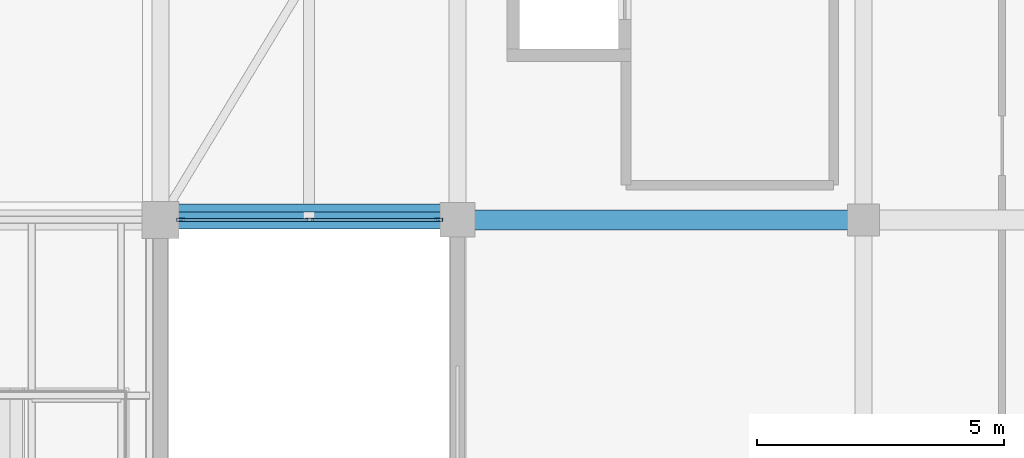
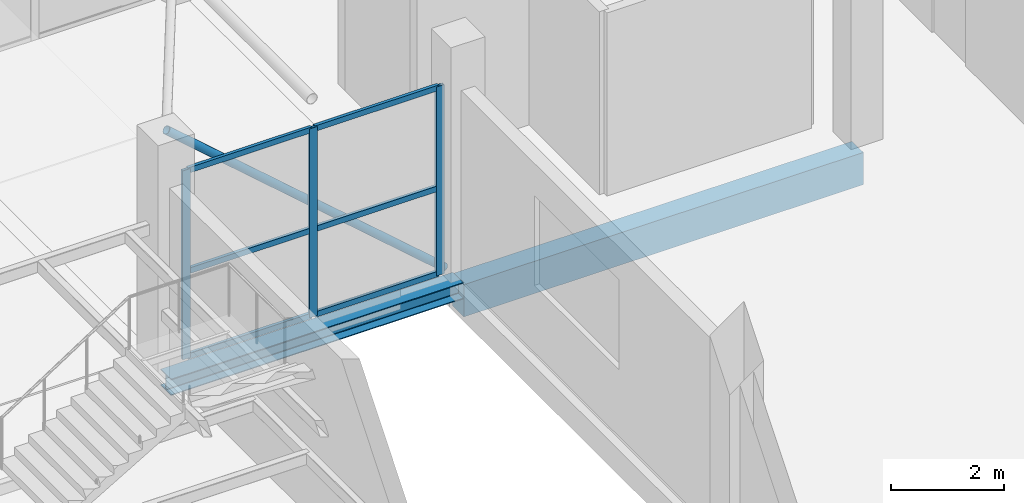
# One storey, part 15 of 67: 10 members, 2 beams, 1 element without a shape of its own.
"""IFC4 building model written with IfcOpenShell, lengths in metres."""

import ifcopenshell
import ifcopenshell.guid

model = None  # the IFC model being written
_history = None  # IfcOwnerHistory: only IFC2X3 demands one
_inside = {}  # id of a spatial element -> (the spatial element, [elements in it])
_under = {}  # id of a project, library or spatial element -> (it, [spatial elements below it])
_declared = {}  # id of a project -> (the project, [libraries it declares])
_typed = {}  # id of a type object -> (the type object, [elements of that type])
_made_of = {}  # id of a material, layer set ... -> (it, [elements and type objects made of it])


def new_model(schema):
    """Start an empty IFC model of exactly this schema.

    Asked for "IFC4X3", IfcOpenShell would pick the latest addendum, in which some entities
    have other attributes; the version numbers below select the first issue.
    IFC2X3 requires an IfcOwnerHistory on every rooted entity: one is made here for all.
    """
    global model, _history
    if schema == "IFC4X3":
        model = ifcopenshell.file(schema_version=(4, 3, 0, 0))
    else:
        model = ifcopenshell.file(schema=schema)
    _inside.clear()
    _under.clear()
    _declared.clear()
    _typed.clear()
    _made_of.clear()
    _history = None
    if model.schema == "IFC2X3":
        org = make("IfcOrganization", Name="unknown")
        user = make(
            "IfcPersonAndOrganization",
            ThePerson=make("IfcPerson", FamilyName="unknown"),
            TheOrganization=org,
        )
        app = make(
            "IfcApplication",
            ApplicationDeveloper=org,
            Version="unknown",
            ApplicationFullName="unknown",
            ApplicationIdentifier="unknown",
        )
        _history = make(
            "IfcOwnerHistory",
            OwningUser=user,
            OwningApplication=app,
            ChangeAction="ADDED",
            CreationDate=0,
        )
    return model


def make(cls, **values):
    """One entity of the class cls with the attributes given. An attribute that is None is left unset."""
    return model.create_entity(
        cls, **{name: value for name, value in values.items() if value is not None}
    )


def rooted(cls, **values):
    """An entity with a GlobalId (a new one), such as an element, a storey or a relation."""
    return make(cls, GlobalId=ifcopenshell.guid.new(), OwnerHistory=_history, **values)


def si_unit(unit_type, name, prefix=None):
    """IfcSIUnit, for example si_unit("LENGTHUNIT", "METRE", prefix="MILLI")."""
    return make("IfcSIUnit", UnitType=unit_type, Prefix=prefix, Name=name)


def assignment(units):
    """IfcUnitAssignment: the units of a project."""
    return None if units is None else make("IfcUnitAssignment", Units=units)


def point(xyz):
    """IfcCartesianPoint."""
    return None if xyz is None else make("IfcCartesianPoint", Coordinates=xyz)


def direction(xyz):
    """IfcDirection."""
    return None if xyz is None else make("IfcDirection", DirectionRatios=xyz)


def frame(location, z_axis=None, x_axis=None):
    """IfcAxis2Placement3D, a coordinate frame: its origin and axes. An axis left out is left unset."""
    return make(
        "IfcAxis2Placement3D",
        Location=point(location),
        Axis=direction(z_axis),
        RefDirection=direction(x_axis),
    )


def frame_2d(location, x_axis=None):
    """IfcAxis2Placement2D, a coordinate frame in the plane: its origin and x axis."""
    return make(
        "IfcAxis2Placement2D", Location=point(location), RefDirection=direction(x_axis)
    )


def origin():
    """The frame at (0, 0, 0) with its axes left unset."""
    return frame((0.0, 0.0, 0.0))


def origin_2d():
    """The frame at (0, 0) in the plane with its x axis left unset."""
    return frame_2d((0.0, 0.0))


def place(relative_to, where):
    """IfcLocalPlacement: puts the frame where relative to a parent placement (None: the world)."""
    return make(
        "IfcLocalPlacement", PlacementRelTo=relative_to, RelativePlacement=where
    )


def context(
    kind, dimensions, precision=None, world=None, true_north=None, identifier=None
):
    """IfcGeometricRepresentationContext, for example the 3D "Model" context."""
    return make(
        "IfcGeometricRepresentationContext",
        ContextIdentifier=identifier,
        ContextType=kind,
        CoordinateSpaceDimension=dimensions,
        Precision=precision,
        WorldCoordinateSystem=world,
        TrueNorth=true_north,
    )


def subcontext(parent, identifier, kind, view, scale=None):
    """IfcGeometricRepresentationSubContext, for example "Body" below "Model"."""
    return make(
        "IfcGeometricRepresentationSubContext",
        ContextIdentifier=identifier,
        ContextType=kind,
        ParentContext=parent,
        TargetScale=scale,
        TargetView=view,
    )


def project(units=None, contexts=None):
    """IfcProject with its units and contexts."""
    return rooted(
        "IfcProject",
        Name="project",
        RepresentationContexts=contexts,
        UnitsInContext=assignment(units),
    )


def spatial(cls, under=None, at=None, **own):
    """A site, building, storey or space (cls), placed at a placement, below another one or the project."""
    s = rooted(cls, ObjectPlacement=at, **own)
    if under is not None:
        _under.setdefault(under.id(), (under, []))[1].append(s)
    return s


def profile(cls, at=None, kind="AREA", **sizes):
    """A parametric profile (cls). Its sizes go by their IFC names, for example OverallWidth=200.0."""
    return make(cls, ProfileType=kind, Position=at, **sizes)


def rectangle(**sizes):
    """IfcRectangleProfileDef."""
    return profile("IfcRectangleProfileDef", **sizes)


def hollow_rectangle(**sizes):
    """IfcRectangleHollowProfileDef."""
    return profile("IfcRectangleHollowProfileDef", **sizes)


def hollow_circle(**sizes):
    """IfcCircleHollowProfileDef."""
    return profile("IfcCircleHollowProfileDef", **sizes)


def i_section(**sizes):
    """IfcIShapeProfileDef."""
    return profile("IfcIShapeProfileDef", **sizes)


def extrude(swept, where, along, depth):
    """IfcExtrudedAreaSolid: the profile swept, set in the frame where, extruded along a direction by depth."""
    return make(
        "IfcExtrudedAreaSolid",
        SweptArea=swept,
        Position=where,
        ExtrudedDirection=direction(along),
        Depth=depth,
    )


def shape(context_of_items, identifier, shape_type, items):
    """IfcShapeRepresentation: the items that make up one representation, for example the "Body"."""
    return make(
        "IfcShapeRepresentation",
        ContextOfItems=context_of_items,
        RepresentationIdentifier=identifier,
        RepresentationType=shape_type,
        Items=items,
    )


def material(Name=None, Category=None):
    """IfcMaterial."""
    return make("IfcMaterial", Name=Name, Category=Category)


def layer(
    of_material, thickness, ventilated=None, Name=None, Category=None, Priority=None
):
    """IfcMaterialLayer: one layer of a wall or slab, of a material (None: an air gap)."""
    return make(
        "IfcMaterialLayer",
        Material=of_material,
        LayerThickness=thickness,
        IsVentilated=ventilated,
        Name=Name,
        Category=Category,
        Priority=Priority,
    )


def layer_set(layers, Name=None):
    """IfcMaterialLayerSet."""
    return make("IfcMaterialLayerSet", MaterialLayers=layers, LayerSetName=Name)


def material_profile(
    of_material, cross_section, Name=None, Category=None, Priority=None
):
    """IfcMaterialProfile: a cross section and its material."""
    return make(
        "IfcMaterialProfile",
        Name=Name,
        Material=of_material,
        Profile=cross_section,
        Priority=Priority,
        Category=Category,
    )


def profile_set(profiles, Name=None, composite=None):
    """IfcMaterialProfileSet."""
    return make(
        "IfcMaterialProfileSet",
        Name=Name,
        MaterialProfiles=profiles,
        CompositeProfile=composite,
    )


def made_of(thing, what):
    """Note that an element or type object is made of a material, layer set ...; save() writes the relation."""
    if what is not None:
        _made_of.setdefault(what.id(), (what, []))[1].append(thing)
    return thing


def type_object(cls, material=None, **own):
    """A type object (cls), such as IfcWallType, which elements share."""
    return made_of(rooted(cls, **own), material)


def element(
    cls,
    number,
    at=None,
    inside=None,
    cuts=None,
    type_object=None,
    material=None,
    context=None,
    identifier="Body",
    shape_type=None,
    held_by="IfcProductDefinitionShape",
    body=None,
    shapes=None,
    **own,
):
    """One element of the class cls, such as IfcWall. Its Tag is "e" and its number.

    at: its placement. inside: the storey or other place that contains it. cuts: it is an
    opening in that element (IfcRelVoidsElement). A single representation is given by context,
    identifier, shape_type and body (its items); several are given by shapes. held_by: the class
    of the entity that holds the representations. save() writes the other relations.
    """
    e = rooted(cls, Tag="e%d" % number, ObjectPlacement=at, **own)
    if body is not None:
        shapes = [shape(context, identifier, shape_type, body)]
    if shapes is not None:
        e.Representation = make(held_by, Representations=shapes)
    if inside is not None:
        _inside.setdefault(inside.id(), (inside, []))[1].append(e)
    if cuts is not None:
        rooted(
            "IfcRelVoidsElement", RelatingBuildingElement=cuts, RelatedOpeningElement=e
        )
    if type_object is not None:
        _typed.setdefault(type_object.id(), (type_object, []))[1].append(e)
    return made_of(e, material)


def aggregate(whole, parts):
    """IfcRelAggregates: a whole, such as a stair, and the parts it consists of."""
    return rooted("IfcRelAggregates", RelatingObject=whole, RelatedObjects=parts)


def save(model, path):
    """Write the relations noted so far, then the file.

    IfcRelAggregates (storeys below a building ...), IfcRelContainedInSpatialStructure (elements
    in a storey), IfcRelDefinesByType, IfcRelAssociatesMaterial and IfcRelDeclares: one each for
    every whole, place, type object, material and project.
    """
    for whole, parts in _under.values():
        aggregate(whole, parts)
    for where, things in _inside.values():
        rooted(
            "IfcRelContainedInSpatialStructure",
            RelatedElements=things,
            RelatingStructure=where,
        )
    for kind, things in _typed.values():
        rooted("IfcRelDefinesByType", RelatedObjects=things, RelatingType=kind)
    for what, things in _made_of.values():
        rooted("IfcRelAssociatesMaterial", RelatedObjects=things, RelatingMaterial=what)
    for by, libraries in _declared.values():
        rooted("IfcRelDeclares", RelatingContext=by, RelatedDefinitions=libraries)
    model.write(path)


model = new_model("IFC4")

# Units and contexts
model_context = context("Model", 3, precision=1e-05, world=origin(), true_north=direction((0.0, 1.0)))
body_context = subcontext(model_context, "Body", "Model", "MODEL_VIEW")
ifc_project = project(units=[si_unit("LENGTHUNIT", "METRE"), si_unit("AREAUNIT", "SQUARE_METRE"), si_unit("VOLUMEUNIT", "CUBIC_METRE"), si_unit("PLANEANGLEUNIT", "RADIAN"), si_unit("MASSUNIT", "GRAM", prefix="KILO")], contexts=[model_context])

# Site, building, storey
site_placement = place(None, origin())
site = spatial("IfcSite", under=ifc_project, at=site_placement, CompositionType="ELEMENT")
building_placement = place(site_placement, origin())
building = spatial("IfcBuilding", under=site, at=building_placement, Name="Sillaruma Civic Art Gallery", CompositionType="ELEMENT")
storey_placement = place(building_placement, frame((0.0, 0.0, 46.919921875)))
storey = spatial("IfcBuildingStorey", under=building, at=storey_placement, Name="L09", CompositionType="ELEMENT", Elevation=46.919921875)

# Beams
ifc_material_1 = material(Name="Concrete H35 (35 MPa)", Category="concrete")
ifc_material_profile_1 = material_profile(ifc_material_1, rectangle(XDim=0.39990234375, YDim=0.699951171875, at=origin_2d()), Name="RCB400x700")
ifc_profile_set_1 = profile_set([ifc_material_profile_1], Name="Concrete H35 (35 MPa)")
beam_type_1 = type_object("IfcBeamType", Name="BM-BEAM-RCB400x700", PredefinedType="BEAM", material=ifc_profile_set_1)
beam_1_placement = place(storey_placement, frame((98.0, 39.60009765625, -0.599853515625), z_axis=(1.0, 0.0, 0.0), x_axis=(0.0, 1.0, 0.0)))
element("IfcBeam", 1, at=beam_1_placement, inside=storey, type_object=beam_type_1, Name="Beam BM-04 (L08:5:L-M)", PredefinedType="BEAM", context=body_context, shape_type="SweptSolid", body=[
    extrude(rectangle(XDim=0.39990234375, YDim=0.699951171875, at=origin_2d()), origin(), (0.0, 0.0, 1.0), 8.199951171875),
])
ifc_material_2 = material(Name="Structural Steel ASTM A992 Gr.50", Category="steel")
ifc_material_profile_2 = material_profile(ifc_material_2, i_section(OverallWidth=0.368896484375, OverallDepth=0.35595703125, WebThickness=0.01123046875, FlangeThickness=0.01806640625, FilletRadius=0.014892578125, at=origin_2d()), Name="W360x134")
ifc_profile_set_2 = profile_set([ifc_material_profile_2], Name="Structural Steel ASTM A992 Gr.50")
beam_type_2 = type_object("IfcBeamType", Name="BM-BRIDGE-W360x134", PredefinedType="SPANDREL", material=ifc_profile_set_2)
beam_2_placement = place(storey_placement, frame((92.0, 39.60009765625, -0.387939453125), z_axis=(1.0, 0.0, 0.0), x_axis=(0.0, 1.0, 0.0)))
element("IfcBeam", 2, at=beam_2_placement, inside=storey, type_object=beam_type_2, Name="Sky-Bridge Steel Edge Girder (BRG-S:L09:S)", PredefinedType="SPANDREL", context=body_context, shape_type="SweptSolid", body=[
    extrude(i_section(OverallWidth=0.368896484375, OverallDepth=0.35595703125, WebThickness=0.01123046875, FlangeThickness=0.01806640625, FilletRadius=0.014892578125, at=origin_2d()), origin(), (0.0, 0.0, 1.0), 6.0),
])

# Member
ifc_material_3 = material(Name="Structural Steel ASTM A500 Gr.C", Category="steel")
ifc_material_profile_3 = material_profile(ifc_material_3, hollow_circle(Radius=0.084228515625, WallThickness=0.007080078125, at=origin_2d()), Name="CHS168.3x7.1")
ifc_profile_set_3 = profile_set([ifc_material_profile_3], Name="Structural Steel ASTM A500 Gr.C")
member_type_1 = type_object("IfcMemberType", Name="MEM-BRIDGE-BRACE", PredefinedType="BRACE", material=ifc_profile_set_3)
member_1_placement = place(storey_placement, frame((97.85009765625, 39.840087890625, -0.079833984375), z_axis=(-0.753735417324, 0.0, 0.657177997707), x_axis=(0.0, -1.0, 0.0)))
element("IfcMember", 3, at=member_1_placement, inside=storey, type_object=member_type_1, Name="Sky-Bridge Elevation Truss Web Brace (BRG-S:L09:S)", PredefinedType="BRACE", context=body_context, shape_type="SweptSolid", body=[
    extrude(hollow_circle(Radius=0.084228515625, WallThickness=0.007080078125, at=origin_2d()), origin(), (0.0, 0.0, 1.0), 7.5625),
])

# Curtain wall, members
ifc_material_4 = material(Name="Thermally Broken Extruded Aluminium 6063-T6", Category="aluminium")
ifc_layer = layer(ifc_material_4, 0.159912109375, Name="Thermally Broken Extruded Aluminium 6063-T6")
ifc_layer_set = layer_set([ifc_layer], Name="Thermally Broken Extruded Aluminium 6063-T6")
curtain_wall_type = type_object("IfcCurtainWallType", Name="CW-UNI-75", PredefinedType="NOTDEFINED", material=ifc_layer_set)
curtain_wall_placement = place(storey_placement, origin())
curtain_wall = element("IfcCurtainWall", 4, at=curtain_wall_placement, inside=storey, type_object=curtain_wall_type, Name="Unitised Curtain Wall CW-75 (CW-BRG-S-L09-S)", PredefinedType="NOTDEFINED")
ifc_material_profile_4 = material_profile(ifc_material_4, hollow_rectangle(XDim=0.06494140625, YDim=0.159912109375, WallThickness=0.00390625, at=origin_2d()), Name="CWM65x160")
ifc_profile_set_4 = profile_set([ifc_material_profile_4], Name="Thermally Broken Extruded Aluminium 6063-T6")
member_type_2 = type_object("IfcMemberType", Name="MEM-MUL-CWM65x160", PredefinedType="MULLION", material=ifc_profile_set_4)
member_2_placement = place(storey_placement, frame((92.407470703125, 39.60009765625, 0.0), z_axis=(0.0, 0.0, 1.0), x_axis=(0.0, 1.0, 0.0)))
member_2 = element("IfcMember", 5, at=member_2_placement, type_object=member_type_2, Name="CW-75 mullion 1", PredefinedType="MULLION", context=body_context, shape_type="SweptSolid", body=[
    extrude(hollow_rectangle(XDim=0.06494140625, YDim=0.159912109375, WallThickness=0.00390625, at=origin_2d()), origin(), (0.0, 0.0, 1.0), 4.10009765625),
])
member_3_placement = place(storey_placement, frame((95.012451171875, 39.60009765625, 0.0), z_axis=(0.0, 0.0, 1.0), x_axis=(0.0, 1.0, 0.0)))
member_3 = element("IfcMember", 6, at=member_3_placement, type_object=member_type_2, Name="CW-75 mullion 2", PredefinedType="MULLION", context=body_context, shape_type="SweptSolid", body=[
    extrude(hollow_rectangle(XDim=0.06494140625, YDim=0.159912109375, WallThickness=0.00390625, at=origin_2d()), origin(), (0.0, 0.0, 1.0), 4.10009765625),
])
member_4_placement = place(storey_placement, frame((97.617431640625, 39.60009765625, 0.0), z_axis=(0.0, 0.0, 1.0), x_axis=(0.0, 1.0, 0.0)))
member_4 = element("IfcMember", 7, at=member_4_placement, type_object=member_type_2, Name="CW-75 mullion 3", PredefinedType="MULLION", context=body_context, shape_type="SweptSolid", body=[
    extrude(hollow_rectangle(XDim=0.06494140625, YDim=0.159912109375, WallThickness=0.00390625, at=origin_2d()), origin(), (0.0, 0.0, 1.0), 4.10009765625),
])
ifc_material_profile_5 = material_profile(ifc_material_4, hollow_rectangle(XDim=0.06494140625, YDim=0.1201171875, WallThickness=0.00341796875, at=origin_2d()), Name="CWT65x120")
ifc_profile_set_5 = profile_set([ifc_material_profile_5], Name="Thermally Broken Extruded Aluminium 6063-T6")
member_type_3 = type_object("IfcMemberType", Name="MEM-TRN-CWT65x120", PredefinedType="USERDEFINED", material=ifc_profile_set_5)
member_5_placement = place(storey_placement, frame((92.43994140625, 39.60009765625, 0.032470703125), z_axis=(1.0, 0.0, 0.0), x_axis=(0.0, 1.0, 0.0)))
member_5 = element("IfcMember", 8, at=member_5_placement, type_object=member_type_3, Name="CW-75 transom 1.1", ObjectType="TRANSOM", PredefinedType="USERDEFINED", context=body_context, shape_type="SweptSolid", body=[
    extrude(hollow_rectangle(XDim=0.06494140625, YDim=0.1201171875, WallThickness=0.00341796875, at=origin_2d()), origin(), (0.0, 0.0, 1.0), 2.5400390625),
])
member_6_placement = place(storey_placement, frame((92.43994140625, 39.60009765625, 1.885986328125), z_axis=(1.0, 0.0, 0.0), x_axis=(0.0, 1.0, 0.0)))
member_6 = element("IfcMember", 9, at=member_6_placement, type_object=member_type_3, Name="CW-75 transom 1.2", ObjectType="TRANSOM", PredefinedType="USERDEFINED", context=body_context, shape_type="SweptSolid", body=[
    extrude(hollow_rectangle(XDim=0.06494140625, YDim=0.1201171875, WallThickness=0.00341796875, at=origin_2d()), origin(), (0.0, 0.0, 1.0), 2.5400390625),
])
member_7_placement = place(storey_placement, frame((92.43994140625, 39.60009765625, 4.067626953125), z_axis=(1.0, 0.0, 0.0), x_axis=(0.0, 1.0, 0.0)))
member_7 = element("IfcMember", 10, at=member_7_placement, type_object=member_type_3, Name="CW-75 transom 1.3", ObjectType="TRANSOM", PredefinedType="USERDEFINED", context=body_context, shape_type="SweptSolid", body=[
    extrude(hollow_rectangle(XDim=0.06494140625, YDim=0.1201171875, WallThickness=0.00341796875, at=origin_2d()), origin(), (0.0, 0.0, 1.0), 2.5400390625),
])
member_8_placement = place(storey_placement, frame((95.044921875, 39.60009765625, 0.032470703125), z_axis=(1.0, 0.0, 0.0), x_axis=(0.0, 1.0, 0.0)))
member_8 = element("IfcMember", 11, at=member_8_placement, type_object=member_type_3, Name="CW-75 transom 2.1", ObjectType="TRANSOM", PredefinedType="USERDEFINED", context=body_context, shape_type="SweptSolid", body=[
    extrude(hollow_rectangle(XDim=0.06494140625, YDim=0.1201171875, WallThickness=0.00341796875, at=origin_2d()), origin(), (0.0, 0.0, 1.0), 2.5400390625),
])
member_9_placement = place(storey_placement, frame((95.044921875, 39.60009765625, 1.885986328125), z_axis=(1.0, 0.0, 0.0), x_axis=(0.0, 1.0, 0.0)))
member_9 = element("IfcMember", 12, at=member_9_placement, type_object=member_type_3, Name="CW-75 transom 2.2", ObjectType="TRANSOM", PredefinedType="USERDEFINED", context=body_context, shape_type="SweptSolid", body=[
    extrude(hollow_rectangle(XDim=0.06494140625, YDim=0.1201171875, WallThickness=0.00341796875, at=origin_2d()), origin(), (0.0, 0.0, 1.0), 2.5400390625),
])
member_10_placement = place(storey_placement, frame((95.044921875, 39.60009765625, 4.067626953125), z_axis=(1.0, 0.0, 0.0), x_axis=(0.0, 1.0, 0.0)))
member_10 = element("IfcMember", 13, at=member_10_placement, type_object=member_type_3, Name="CW-75 transom 2.3", ObjectType="TRANSOM", PredefinedType="USERDEFINED", context=body_context, shape_type="SweptSolid", body=[
    extrude(hollow_rectangle(XDim=0.06494140625, YDim=0.1201171875, WallThickness=0.00341796875, at=origin_2d()), origin(), (0.0, 0.0, 1.0), 2.5400390625),
])
aggregate(curtain_wall, [member_2, member_3, member_4, member_5, member_6, member_7, member_8, member_9, member_10])

save(model, "model.ifc")
